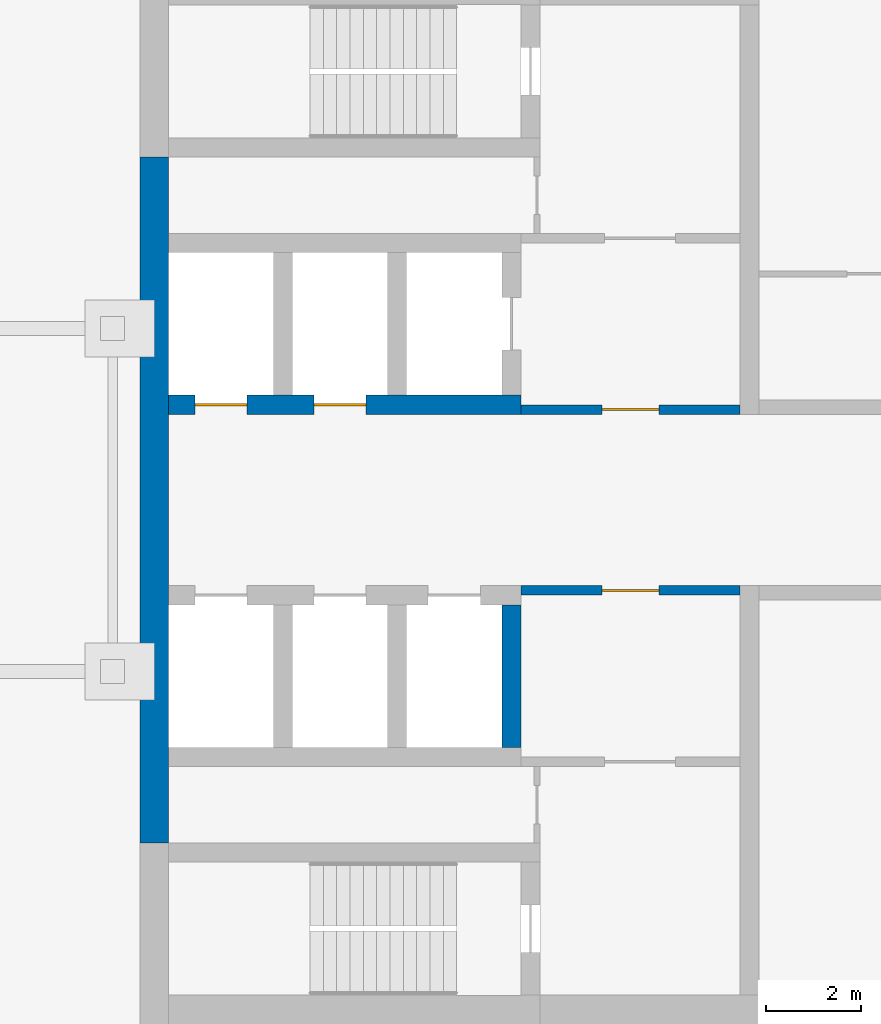
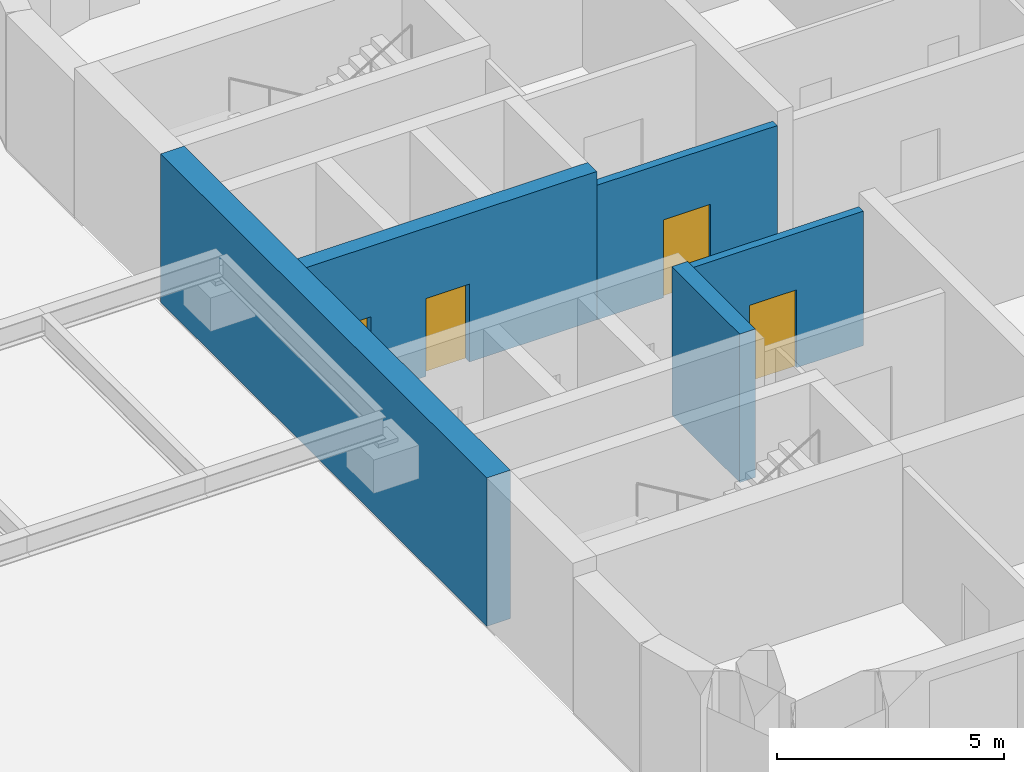
# One storey, part 7 of 18: 5 walls, 4 doors, 4 openings.
"""IFC4 building model written with IfcOpenShell, lengths in metres."""

from ifc_helpers import new_model, si_unit, direction, frame, frame_2d, origin, place, context, subcontext, project, spatial, rectangle, extrude, material, layer, layer_set, type_object, element, fill, save


model = new_model("IFC4")

# Units and contexts
model_context = context("Model", 3, precision=1e-05, world=origin(), true_north=direction((0.0, 1.0)))
body_context = subcontext(model_context, "Body", "Model", "MODEL_VIEW")
ifc_project = project(units=[si_unit("LENGTHUNIT", "METRE"), si_unit("AREAUNIT", "SQUARE_METRE"), si_unit("VOLUMEUNIT", "CUBIC_METRE"), si_unit("PLANEANGLEUNIT", "RADIAN"), si_unit("MASSUNIT", "GRAM", prefix="KILO")], contexts=[model_context])

# Site, building, storey
site_placement = place(None, origin())
site = spatial("IfcSite", under=ifc_project, at=site_placement, CompositionType="ELEMENT")
building_placement = place(site_placement, origin())
building = spatial("IfcBuilding", under=site, at=building_placement, Name="Skarvind Civic Tower", CompositionType="ELEMENT")
storey_placement = place(building_placement, frame((0.0, 0.0, 27.5)))
storey = spatial("IfcBuildingStorey", under=building, at=storey_placement, Name="L05", CompositionType="ELEMENT", Elevation=27.5)

# Wall, opening, door
ifc_material_1 = material(Name="Fire-rated masonry partition", Category="masonry")
ifc_layer_1 = layer(ifc_material_1, 0.199951171875)
ifc_layer_set_1 = layer_set([ifc_layer_1], Name="Core enclosure wall 200")
wall_type_1 = type_object("IfcWallType", Name="Core enclosure wall 200", PredefinedType="PARTITIONING", material=ifc_layer_set_1)
wall_1_placement = place(storey_placement, frame((135.0, 129.89990234375, 0.0), z_axis=(0.0, 0.0, 1.0), x_axis=(1.0, 0.0, 0.0)))
wall_1 = element("IfcWall", 1, at=wall_1_placement, inside=storey, type_object=wall_type_1, Name="Core wall CA", PredefinedType="PARTITIONING", context=body_context, shape_type="SweptSolid", body=[
    extrude(rectangle(XDim=4.60009765625, YDim=0.199951171875, at=frame_2d((2.300048828125, 0.0))), origin(), (0.0, 0.0, 1.0), 3.625),
])
opening_1_placement = place(wall_1_placement, frame((1.699951171875, 0.0, 0.0)))
opening_1 = element("IfcOpeningElement", 2, at=opening_1_placement, cuts=wall_1, Name="Opening D-L05-CA-06", PredefinedType="OPENING", context=body_context, shape_type="SweptSolid", body=[
    extrude(rectangle(XDim=1.199951171875, YDim=2.10009765625, at=frame_2d((0.60009765625, 1.050048828125))), frame((0.0, 0.10986328125, 0.0), z_axis=(0.0, -1.0, 0.0), x_axis=(1.0, 0.0, 0.0)), (0.0, 0.0, 1.0), 0.219970703125),
])
ifc_material_2 = material(Name="Fire-rated steel door", Category="steel")
door_type_1 = type_object("IfcDoorType", Name="Core lobby door 1200", OperationType="NOTDEFINED", PredefinedType="DOOR", material=ifc_material_2)
door_1_placement = place(opening_1_placement, origin())
door_1 = element("IfcDoor", 3, at=door_1_placement, inside=storey, type_object=door_type_1, Name="Fire door", OperationType="DOUBLE_DOOR_SINGLE_SWING", OverallHeight=2.10009765625, OverallWidth=1.199951171875, PredefinedType="DOOR", context=body_context, shape_type="SweptSolid", body=[
    extrude(rectangle(XDim=1.199951171875, YDim=2.10009765625, at=frame_2d((0.60009765625, 1.050048828125))), frame((0.0, 0.02490234375, 0.0), z_axis=(0.0, -1.0, 0.0), x_axis=(1.0, 0.0, 0.0)), (0.0, 0.0, 1.0), 0.050048828125),
])
fill(opening_1, door_1)

wall_2_placement = place(storey_placement, frame((139.60009765625, 126.10009765625, 0.0), z_axis=(0.0, 0.0, 1.0), x_axis=(-1.0, 0.0, 0.0)))
wall_2 = element("IfcWall", 4, at=wall_2_placement, inside=storey, type_object=wall_type_1, Name="Core wall CA", PredefinedType="PARTITIONING", context=body_context, shape_type="SweptSolid", body=[
    extrude(rectangle(XDim=4.60009765625, YDim=0.199951171875, at=frame_2d((2.300048828125, 0.0))), origin(), (0.0, 0.0, 1.0), 3.625),
])
opening_2_placement = place(wall_2_placement, frame((1.699951171875, 0.0, 0.0)))
opening_2 = element("IfcOpeningElement", 5, at=opening_2_placement, cuts=wall_2, Name="Opening D-L05-CA-10", PredefinedType="OPENING", context=body_context, shape_type="SweptSolid", body=[
    extrude(rectangle(XDim=1.199951171875, YDim=2.10009765625, at=frame_2d((0.60009765625, 1.050048828125))), frame((0.0, 0.10986328125, 0.0), z_axis=(0.0, -1.0, 0.0), x_axis=(1.0, 0.0, 0.0)), (0.0, 0.0, 1.0), 0.219970703125),
])
door_2_placement = place(opening_2_placement, origin())
door_2 = element("IfcDoor", 6, at=door_2_placement, inside=storey, type_object=door_type_1, Name="Fire door", OperationType="DOUBLE_DOOR_SINGLE_SWING", OverallHeight=2.10009765625, OverallWidth=1.199951171875, PredefinedType="DOOR", context=body_context, shape_type="SweptSolid", body=[
    extrude(rectangle(XDim=1.199951171875, YDim=2.10009765625, at=frame_2d((0.60009765625, 1.050048828125))), frame((0.0, 0.02490234375, 0.0), z_axis=(0.0, -1.0, 0.0), x_axis=(1.0, 0.0, 0.0)), (0.0, 0.0, 1.0), 0.050048828125),
])
fill(opening_2, door_2)

# Wall
ifc_material_3 = material(Name="Concrete C80", Category="concrete")
ifc_layer_2 = layer(ifc_material_3, 0.39990234375)
ifc_layer_set_2 = layer_set([ifc_layer_2], Name="Core wall 400 C80")
wall_type_2 = type_object("IfcWallType", Name="Core wall 400 C80", PredefinedType="SHEAR", material=ifc_layer_set_2)
wall_3_placement = place(storey_placement, frame((134.800048828125, 122.800048828125, 0.0), z_axis=(0.0, 0.0, 1.0), x_axis=(0.0, 1.0, 0.0)))
element("IfcWall", 7, at=wall_3_placement, inside=storey, type_object=wall_type_2, Name="Core wall CA south lift row division 3 L05", PredefinedType="SHEAR", context=body_context, shape_type="SweptSolid", body=[
    extrude(rectangle(XDim=3.0, YDim=0.39990234375, at=frame_2d((1.5, 0.0))), origin(), (0.0, 0.0, 1.0), 4.0),
])

# Wall, openings, doors
wall_4_placement = place(storey_placement, frame((127.60009765625, 130.0, 0.0), z_axis=(0.0, 0.0, 1.0), x_axis=(1.0, 0.0, 0.0)))
wall_4 = element("IfcWall", 8, at=wall_4_placement, inside=storey, type_object=wall_type_2, Name="Core wall CA north lift row front L05", PredefinedType="SHEAR", context=body_context, shape_type="SweptSolid", body=[
    extrude(rectangle(XDim=7.39990234375, YDim=0.39990234375, at=frame_2d((3.699951171875, 0.0))), origin(), (0.0, 0.0, 1.0), 4.0),
])
opening_3_placement = place(wall_4_placement, frame((0.550048828125, 0.0, 0.0)))
opening_3 = element("IfcOpeningElement", 9, at=opening_3_placement, cuts=wall_4, Name="Opening LD07301", PredefinedType="OPENING", context=body_context, shape_type="SweptSolid", body=[
    extrude(rectangle(XDim=1.10009765625, YDim=2.10009765625, at=frame_2d((0.550048828125, 1.050048828125))), frame((0.0, 0.2099609375, 0.0), z_axis=(0.0, -1.0, 0.0), x_axis=(1.0, 0.0, 0.0)), (0.0, 0.0, 1.0), 0.419921875),
])
opening_4_placement = place(wall_4_placement, frame((3.050048828125, 0.0, 0.0)))
opening_4 = element("IfcOpeningElement", 10, at=opening_4_placement, cuts=wall_4, Name="Opening LD07302", PredefinedType="OPENING", context=body_context, shape_type="SweptSolid", body=[
    extrude(rectangle(XDim=1.10009765625, YDim=2.10009765625, at=frame_2d((0.550048828125, 1.050048828125))), frame((0.0, 0.2099609375, 0.0), z_axis=(0.0, -1.0, 0.0), x_axis=(1.0, 0.0, 0.0)), (0.0, 0.0, 1.0), 0.419921875),
])
ifc_material_4 = material(Name="Stainless steel landing door", Category="steel")
door_type_2 = type_object("IfcDoorType", Name="Lift landing door 1100", OperationType="DOUBLE_DOOR_SLIDING", PredefinedType="DOOR", material=ifc_material_4)
door_3_placement = place(opening_3_placement, origin())
door_3 = element("IfcDoor", 11, at=door_3_placement, inside=storey, type_object=door_type_2, Name="Lift landing door", OperationType="DOUBLE_DOOR_SLIDING", OverallHeight=2.10009765625, OverallWidth=1.10009765625, PredefinedType="DOOR", context=body_context, shape_type="SweptSolid", body=[
    extrude(rectangle(XDim=1.10009765625, YDim=2.10009765625, at=frame_2d((0.550048828125, 1.050048828125))), frame((0.0, 0.02490234375, 0.0), z_axis=(0.0, -1.0, 0.0), x_axis=(1.0, 0.0, 0.0)), (0.0, 0.0, 1.0), 0.050048828125),
])
fill(opening_3, door_3)
door_4_placement = place(opening_4_placement, origin())
door_4 = element("IfcDoor", 12, at=door_4_placement, inside=storey, type_object=door_type_2, Name="Lift landing door", OperationType="DOUBLE_DOOR_SLIDING", OverallHeight=2.10009765625, OverallWidth=1.10009765625, PredefinedType="DOOR", context=body_context, shape_type="SweptSolid", body=[
    extrude(rectangle(XDim=1.10009765625, YDim=2.10009765625, at=frame_2d((0.550048828125, 1.050048828125))), frame((0.0, 0.02490234375, 0.0), z_axis=(0.0, -1.0, 0.0), x_axis=(1.0, 0.0, 0.0)), (0.0, 0.0, 1.0), 0.050048828125),
])
fill(opening_4, door_4)

# Wall
ifc_layer_3 = layer(ifc_material_3, 0.60009765625)
ifc_layer_set_3 = layer_set([ifc_layer_3], Name="Core wall 600 C80")
wall_type_3 = type_object("IfcWallType", Name="Core wall 600 C80", PredefinedType="SHEAR", material=ifc_layer_set_3)
wall_5_placement = place(storey_placement, frame((127.300048828125, 120.800048828125, 0.0), z_axis=(0.0, 0.0, 1.0), x_axis=(0.0, 1.0, 0.0)))
element("IfcWall", 13, at=wall_5_placement, inside=storey, type_object=wall_type_3, Name="Core wall CA tip between the stairs L05", PredefinedType="SHEAR", context=body_context, shape_type="SweptSolid", body=[
    extrude(rectangle(XDim=14.39990234375, YDim=0.60009765625, at=frame_2d((7.199951171875, 0.0))), origin(), (0.0, 0.0, 1.0), 4.0),
])

save(model, "model.ifc")
